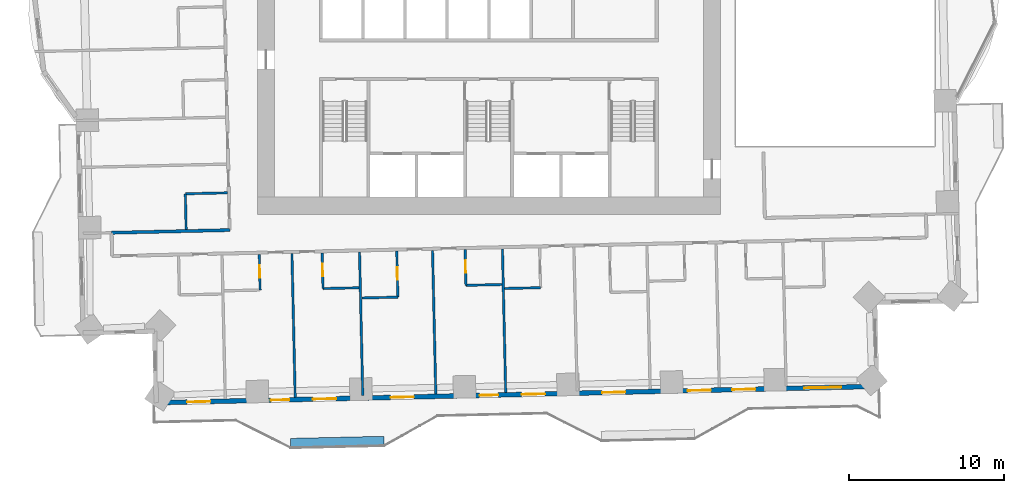
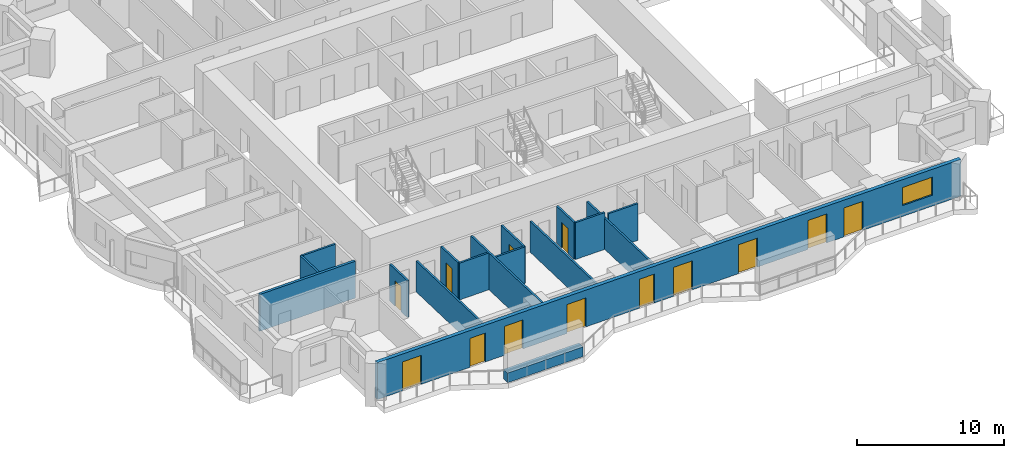
# One storey, part 6 of 17: 17 walls, 13 doors, 1 window, 14 openings.
"""IFC4 building model written with IfcOpenShell, lengths in metres."""

from ifc_helpers import new_model, si_unit, direction, frame, frame_2d, origin, place, context, subcontext, project, spatial, rectangle, extrude, material, layer, layer_set, type_object, element, fill, save


model = new_model("IFC4")

# Units and contexts
model_context = context("Model", 3, precision=1e-05, world=origin(), true_north=direction((0.0, 1.0)))
body_context = subcontext(model_context, "Body", "Model", "MODEL_VIEW")
ifc_project = project(units=[si_unit("LENGTHUNIT", "METRE"), si_unit("AREAUNIT", "SQUARE_METRE"), si_unit("VOLUMEUNIT", "CUBIC_METRE"), si_unit("PLANEANGLEUNIT", "RADIAN"), si_unit("MASSUNIT", "GRAM", prefix="KILO")], contexts=[model_context])

# Site, building, storey
site_placement = place(None, origin())
site = spatial("IfcSite", under=ifc_project, at=site_placement, CompositionType="ELEMENT")
building_placement = place(site_placement, origin())
building = spatial("IfcBuilding", under=site, at=building_placement, Name="Mangrove Gate Tower", CompositionType="ELEMENT")
storey_placement = place(building_placement, frame((0.0, 0.0, 82.89990234375)))
storey = spatial("IfcBuildingStorey", under=building, at=storey_placement, Name="L20", CompositionType="ELEMENT", Elevation=82.89990234375)

# Wall
ifc_material_1 = material(Name="Gypsum board on steel stud, EI 60", Category="steel")
ifc_layer_1 = layer(ifc_material_1, 0.199951171875)
ifc_layer_set_1 = layer_set([ifc_layer_1], Name="Corridor wall EI 60")
wall_type_1 = type_object("IfcWallType", Name="Corridor wall EI 60", PredefinedType="PARTITIONING", material=ifc_layer_set_1)
wall_1_placement = place(storey_placement, frame((-24.282958984375, -13.091064453125, 0.0), z_axis=(0.0, 0.0, 1.0), x_axis=(0.999741006317, 0.022757862116, 0.0)))
element("IfcWall", 1, at=wall_1_placement, inside=storey, type_object=wall_type_1, Name="WALL-L20-034", PredefinedType="PARTITIONING", context=body_context, shape_type="SweptSolid", body=[
    extrude(rectangle(XDim=7.60595703125, YDim=0.199951171875, at=frame_2d((3.802978515625, 0.0))), origin(), (0.0, 0.0, 1.0), 3.050048828125),
])

# Wall, openings, doors, window
ifc_material_2 = material(Name="Limestone", Category="masonry")
ifc_layer_2 = layer(ifc_material_2, 0.0400390625, Name="Limestone cladding")
ifc_material_3 = material(Name="Ventilated air gap")
ifc_layer_3 = layer(ifc_material_3, 0.0400390625, Name="Ventilated cavity")
ifc_material_4 = material(Name="Mineral wool insulation")
ifc_layer_4 = layer(ifc_material_4, 0.06005859375, Name="Insulation")
ifc_material_5 = material(Name="Breather membrane")
ifc_layer_5 = layer(ifc_material_5, 0.001953125, Name="Breather membrane")
ifc_material_6 = material(Name="Concrete C20/25 blockwork", Category="masonry")
ifc_layer_6 = layer(ifc_material_6, 0.14990234375, Name="Blockwork backing wall")
ifc_material_7 = material(Name="Gypsum plaster")
ifc_layer_7 = layer(ifc_material_7, 0.008056640625, Name="Internal plaster")
ifc_layer_set_2 = layer_set([ifc_layer_2, ifc_layer_3, ifc_layer_4, ifc_layer_5, ifc_layer_6, ifc_layer_7], Name="External wall 300 limestone cladding")
wall_type_2 = type_object("IfcWallType", Name="External wall 300 limestone cladding", PredefinedType="SOLIDWALL", material=ifc_layer_set_2)
wall_2_placement = place(storey_placement, frame((-21.408935546875, -24.029052734375, 0.0), z_axis=(0.0, 0.0, 1.0), x_axis=(0.999742634032, 0.022686244721, 0.0)))
wall_2 = element("IfcWall", 2, at=wall_2_placement, inside=storey, type_object=wall_type_2, Name="WALL-L20-S13", PredefinedType="SOLIDWALL", context=body_context, shape_type="SweptSolid", body=[
    extrude(rectangle(XDim=46.371826171875, YDim=0.300048828125, at=frame_2d((23.18603515625, 0.0))), origin(), (0.0, 0.0, 1.0), 3.050048828125),
])
opening_1_placement = place(wall_2_placement, frame((1.985107421875, 0.0, 0.0)))
opening_1 = element("IfcOpeningElement", 3, at=opening_1_placement, cuts=wall_2, Name="Opening BD1", PredefinedType="OPENING", context=body_context, shape_type="SweptSolid", body=[
    extrude(rectangle(XDim=1.5, YDim=2.39990234375, at=frame_2d((0.75, 1.199951171875))), frame((0.0, 0.159912109375, 0.0), z_axis=(0.0, -1.0, 0.0), x_axis=(1.0, 0.0, 0.0)), (0.0, 0.0, 1.0), 0.320068359375),
])
opening_2_placement = place(wall_2_placement, frame((7.37109375, 0.0, 0.0)))
opening_2 = element("IfcOpeningElement", 4, at=opening_2_placement, cuts=wall_2, Name="Opening BD2", PredefinedType="OPENING", context=body_context, shape_type="SweptSolid", body=[
    extrude(rectangle(XDim=1.199951171875, YDim=2.39990234375, at=frame_2d((0.60009765625, 1.199951171875))), frame((0.0, 0.159912109375, 0.0), z_axis=(0.0, -1.0, 0.0), x_axis=(1.0, 0.0, 0.0)), (0.0, 0.0, 1.0), 0.320068359375),
])
opening_3_placement = place(wall_2_placement, frame((10.080078125, 0.0, 0.0)))
opening_3 = element("IfcOpeningElement", 5, at=opening_3_placement, cuts=wall_2, Name="Opening BD1", PredefinedType="OPENING", context=body_context, shape_type="SweptSolid", body=[
    extrude(rectangle(XDim=1.5, YDim=2.39990234375, at=frame_2d((0.75, 1.199951171875))), frame((0.0, 0.159912109375, 0.0), z_axis=(0.0, -1.0, 0.0), x_axis=(1.0, 0.0, 0.0)), (0.0, 0.0, 1.0), 0.320068359375),
])
opening_4_placement = place(wall_2_placement, frame((15.080078125, 0.0, 0.0)))
opening_4 = element("IfcOpeningElement", 6, at=opening_4_placement, cuts=wall_2, Name="Opening BD1", PredefinedType="OPENING", context=body_context, shape_type="SweptSolid", body=[
    extrude(rectangle(XDim=1.5, YDim=2.39990234375, at=frame_2d((0.75, 1.199951171875))), frame((0.0, 0.159912109375, 0.0), z_axis=(0.0, -1.0, 0.0), x_axis=(1.0, 0.0, 0.0)), (0.0, 0.0, 1.0), 0.320068359375),
])
opening_5_placement = place(wall_2_placement, frame((20.81298828125, 0.0, 0.0)))
opening_5 = element("IfcOpeningElement", 7, at=opening_5_placement, cuts=wall_2, Name="Opening BD2", PredefinedType="OPENING", context=body_context, shape_type="SweptSolid", body=[
    extrude(rectangle(XDim=1.199951171875, YDim=2.39990234375, at=frame_2d((0.60009765625, 1.199951171875))), frame((0.0, 0.159912109375, 0.0), z_axis=(0.0, -1.0, 0.0), x_axis=(1.0, 0.0, 0.0)), (0.0, 0.0, 1.0), 0.320068359375),
])
opening_6_placement = place(wall_2_placement, frame((23.52197265625, 0.0, 0.0)))
opening_6 = element("IfcOpeningElement", 8, at=opening_6_placement, cuts=wall_2, Name="Opening BD1", PredefinedType="OPENING", context=body_context, shape_type="SweptSolid", body=[
    extrude(rectangle(XDim=1.5, YDim=2.39990234375, at=frame_2d((0.75, 1.199951171875))), frame((0.0, 0.159912109375, 0.0), z_axis=(0.0, -1.0, 0.0), x_axis=(1.0, 0.0, 0.0)), (0.0, 0.0, 1.0), 0.320068359375),
])
opening_7_placement = place(wall_2_placement, frame((28.699951171875, 0.0, 0.0)))
opening_7 = element("IfcOpeningElement", 9, at=opening_7_placement, cuts=wall_2, Name="Opening BD1", PredefinedType="OPENING", context=body_context, shape_type="SweptSolid", body=[
    extrude(rectangle(XDim=1.5, YDim=2.39990234375, at=frame_2d((0.75, 1.199951171875))), frame((0.0, 0.159912109375, 0.0), z_axis=(0.0, -1.0, 0.0), x_axis=(1.0, 0.0, 0.0)), (0.0, 0.0, 1.0), 0.320068359375),
])
opening_8_placement = place(wall_2_placement, frame((34.2060546875, 0.0, 0.0)))
opening_8 = element("IfcOpeningElement", 10, at=opening_8_placement, cuts=wall_2, Name="Opening BD1", PredefinedType="OPENING", context=body_context, shape_type="SweptSolid", body=[
    extrude(rectangle(XDim=1.5, YDim=2.39990234375, at=frame_2d((0.75, 1.199951171875))), frame((0.0, 0.159912109375, 0.0), z_axis=(0.0, -1.0, 0.0), x_axis=(1.0, 0.0, 0.0)), (0.0, 0.0, 1.0), 0.320068359375),
])
opening_9_placement = place(wall_2_placement, frame((37.06494140625, 0.0, 0.0)))
opening_9 = element("IfcOpeningElement", 11, at=opening_9_placement, cuts=wall_2, Name="Opening BD1", PredefinedType="OPENING", context=body_context, shape_type="SweptSolid", body=[
    extrude(rectangle(XDim=1.5, YDim=2.39990234375, at=frame_2d((0.75, 1.199951171875))), frame((0.0, 0.159912109375, 0.0), z_axis=(0.0, -1.0, 0.0), x_axis=(1.0, 0.0, 0.0)), (0.0, 0.0, 1.0), 0.320068359375),
])
opening_10_placement = place(wall_2_placement, frame((41.697998046875, 0.0, 0.89990234375)))
opening_10 = element("IfcOpeningElement", 12, at=opening_10_placement, cuts=wall_2, Name="Opening W2", PredefinedType="OPENING", context=body_context, shape_type="SweptSolid", body=[
    extrude(rectangle(XDim=2.39990234375, YDim=1.5, at=frame_2d((1.199951171875, 0.75))), frame((0.0, 0.159912109375, 0.0), z_axis=(0.0, -1.0, 0.0), x_axis=(1.0, 0.0, 0.0)), (0.0, 0.0, 1.0), 0.320068359375),
])
ifc_material_8 = material(Name="Aluminium frame with laminated clear glass", Category="aluminium")
door_type_1 = type_object("IfcDoorType", Name="Balcony sliding door 1200x2400", OperationType="SLIDING_TO_LEFT", PredefinedType="DOOR", material=ifc_material_8)
door_1_placement = place(opening_2_placement, origin())
door_1 = element("IfcDoor", 13, at=door_1_placement, inside=storey, type_object=door_type_1, Name="DOOR-L20-S13-2", OperationType="SLIDING_TO_LEFT", OverallHeight=2.39990234375, OverallWidth=1.199951171875, PredefinedType="DOOR", context=body_context, shape_type="SweptSolid", body=[
    extrude(rectangle(XDim=1.199951171875, YDim=2.39990234375, at=frame_2d((0.60009765625, 1.199951171875))), frame((0.0, 0.02490234375, 0.0), z_axis=(0.0, -1.0, 0.0), x_axis=(1.0, 0.0, 0.0)), (0.0, 0.0, 1.0), 0.050048828125),
])
fill(opening_2, door_1)
door_2_placement = place(opening_5_placement, origin())
door_2 = element("IfcDoor", 14, at=door_2_placement, inside=storey, type_object=door_type_1, Name="DOOR-L20-S13-5", OperationType="SLIDING_TO_LEFT", OverallHeight=2.39990234375, OverallWidth=1.199951171875, PredefinedType="DOOR", context=body_context, shape_type="SweptSolid", body=[
    extrude(rectangle(XDim=1.199951171875, YDim=2.39990234375, at=frame_2d((0.60009765625, 1.199951171875))), frame((0.0, 0.02490234375, 0.0), z_axis=(0.0, -1.0, 0.0), x_axis=(1.0, 0.0, 0.0)), (0.0, 0.0, 1.0), 0.050048828125),
])
fill(opening_5, door_2)
ifc_material_9 = material(Name="Aluminium frame with laminated clear glass", Category="aluminium")
door_type_2 = type_object("IfcDoorType", Name="Balcony sliding door 1500x2400", OperationType="SLIDING_TO_LEFT", PredefinedType="DOOR", material=ifc_material_9)
door_3_placement = place(opening_1_placement, origin())
door_3 = element("IfcDoor", 15, at=door_3_placement, inside=storey, type_object=door_type_2, Name="DOOR-L20-S13-1", OperationType="SLIDING_TO_LEFT", OverallHeight=2.39990234375, OverallWidth=1.5, PredefinedType="DOOR", context=body_context, shape_type="SweptSolid", body=[
    extrude(rectangle(XDim=1.5, YDim=2.39990234375, at=frame_2d((0.75, 1.199951171875))), frame((0.0, 0.02490234375, 0.0), z_axis=(0.0, -1.0, 0.0), x_axis=(1.0, 0.0, 0.0)), (0.0, 0.0, 1.0), 0.050048828125),
])
fill(opening_1, door_3)
door_4_placement = place(opening_3_placement, origin())
door_4 = element("IfcDoor", 16, at=door_4_placement, inside=storey, type_object=door_type_2, Name="DOOR-L20-S13-3", OperationType="SLIDING_TO_LEFT", OverallHeight=2.39990234375, OverallWidth=1.5, PredefinedType="DOOR", context=body_context, shape_type="SweptSolid", body=[
    extrude(rectangle(XDim=1.5, YDim=2.39990234375, at=frame_2d((0.75, 1.199951171875))), frame((0.0, 0.02490234375, 0.0), z_axis=(0.0, -1.0, 0.0), x_axis=(1.0, 0.0, 0.0)), (0.0, 0.0, 1.0), 0.050048828125),
])
fill(opening_3, door_4)
door_5_placement = place(opening_4_placement, origin())
door_5 = element("IfcDoor", 17, at=door_5_placement, inside=storey, type_object=door_type_2, Name="DOOR-L20-S13-4", OperationType="SLIDING_TO_LEFT", OverallHeight=2.39990234375, OverallWidth=1.5, PredefinedType="DOOR", context=body_context, shape_type="SweptSolid", body=[
    extrude(rectangle(XDim=1.5, YDim=2.39990234375, at=frame_2d((0.75, 1.199951171875))), frame((0.0, 0.02490234375, 0.0), z_axis=(0.0, -1.0, 0.0), x_axis=(1.0, 0.0, 0.0)), (0.0, 0.0, 1.0), 0.050048828125),
])
fill(opening_4, door_5)
door_6_placement = place(opening_6_placement, origin())
door_6 = element("IfcDoor", 18, at=door_6_placement, inside=storey, type_object=door_type_2, Name="DOOR-L20-S13-6", OperationType="SLIDING_TO_LEFT", OverallHeight=2.39990234375, OverallWidth=1.5, PredefinedType="DOOR", context=body_context, shape_type="SweptSolid", body=[
    extrude(rectangle(XDim=1.5, YDim=2.39990234375, at=frame_2d((0.75, 1.199951171875))), frame((0.0, 0.02490234375, 0.0), z_axis=(0.0, -1.0, 0.0), x_axis=(1.0, 0.0, 0.0)), (0.0, 0.0, 1.0), 0.050048828125),
])
fill(opening_6, door_6)
door_7_placement = place(opening_7_placement, origin())
door_7 = element("IfcDoor", 19, at=door_7_placement, inside=storey, type_object=door_type_2, Name="DOOR-L20-S13-7", OperationType="SLIDING_TO_LEFT", OverallHeight=2.39990234375, OverallWidth=1.5, PredefinedType="DOOR", context=body_context, shape_type="SweptSolid", body=[
    extrude(rectangle(XDim=1.5, YDim=2.39990234375, at=frame_2d((0.75, 1.199951171875))), frame((0.0, 0.02490234375, 0.0), z_axis=(0.0, -1.0, 0.0), x_axis=(1.0, 0.0, 0.0)), (0.0, 0.0, 1.0), 0.050048828125),
])
fill(opening_7, door_7)
door_8_placement = place(opening_8_placement, origin())
door_8 = element("IfcDoor", 20, at=door_8_placement, inside=storey, type_object=door_type_2, Name="DOOR-L20-S13-8", OperationType="SLIDING_TO_LEFT", OverallHeight=2.39990234375, OverallWidth=1.5, PredefinedType="DOOR", context=body_context, shape_type="SweptSolid", body=[
    extrude(rectangle(XDim=1.5, YDim=2.39990234375, at=frame_2d((0.75, 1.199951171875))), frame((0.0, 0.02490234375, 0.0), z_axis=(0.0, -1.0, 0.0), x_axis=(1.0, 0.0, 0.0)), (0.0, 0.0, 1.0), 0.050048828125),
])
fill(opening_8, door_8)
door_9_placement = place(opening_9_placement, origin())
door_9 = element("IfcDoor", 21, at=door_9_placement, inside=storey, type_object=door_type_2, Name="DOOR-L20-S13-9", OperationType="SLIDING_TO_LEFT", OverallHeight=2.39990234375, OverallWidth=1.5, PredefinedType="DOOR", context=body_context, shape_type="SweptSolid", body=[
    extrude(rectangle(XDim=1.5, YDim=2.39990234375, at=frame_2d((0.75, 1.199951171875))), frame((0.0, 0.02490234375, 0.0), z_axis=(0.0, -1.0, 0.0), x_axis=(1.0, 0.0, 0.0)), (0.0, 0.0, 1.0), 0.050048828125),
])
fill(opening_9, door_9)
ifc_material_10 = material(Name="Aluminium frame with double-glazed low-e glass", Category="aluminium")
window_type = type_object("IfcWindowType", Name="Corner room window 2400x1500", PartitioningType="DOUBLE_PANEL_VERTICAL", PredefinedType="WINDOW", material=ifc_material_10)
window_placement = place(opening_10_placement, origin())
window = element("IfcWindow", 22, at=window_placement, inside=storey, type_object=window_type, Name="WIN-L20-S13-10", OverallHeight=1.5, OverallWidth=2.39990234375, PartitioningType="DOUBLE_PANEL_VERTICAL", PredefinedType="WINDOW", context=body_context, shape_type="SweptSolid", body=[
    extrude(rectangle(XDim=2.39990234375, YDim=1.5, at=frame_2d((1.199951171875, 0.75))), frame((0.0, 0.030029296875, 0.0), z_axis=(0.0, -1.0, 0.0), x_axis=(1.0, 0.0, 0.0)), (0.0, 0.0, 1.0), 0.06005859375),
])
fill(opening_10, window)

# Walls
ifc_material_11 = material(Name="Gypsum board on steel stud, EI 60", Category="steel")
ifc_layer_8 = layer(ifc_material_11, 0.14990234375)
ifc_layer_set_3 = layer_set([ifc_layer_8], Name="Party wall 150 EI 60")
wall_type_3 = type_object("IfcWallType", Name="Party wall 150 EI 60", PredefinedType="PARTITIONING", material=ifc_layer_set_3)
wall_3_placement = place(storey_placement, frame((-12.468994140625, -23.676025390625, 0.0), z_axis=(0.0, 0.0, 1.0), x_axis=(-0.022697424684, 0.999742380272, 0.0)))
element("IfcWall", 23, at=wall_3_placement, inside=storey, type_object=wall_type_3, Name="WALL-L20-002", PredefinedType="PARTITIONING", context=body_context, shape_type="SweptSolid", body=[
    extrude(rectangle(XDim=9.25048828125, YDim=0.14990234375, at=frame_2d((4.625244140625, 0.0))), origin(), (0.0, 0.0, 1.0), 2.550048828125),
])
wall_4_placement = place(storey_placement, frame((-8.1201171875, -23.576904296875, 0.0), z_axis=(0.0, 0.0, 1.0), x_axis=(-0.022698023584, 0.999742366675, 0.0)))
element("IfcWall", 24, at=wall_4_placement, inside=storey, type_object=wall_type_3, Name="WALL-L20-003", PredefinedType="PARTITIONING", context=body_context, shape_type="SweptSolid", body=[
    extrude(rectangle(XDim=9.250244140625, YDim=0.14990234375, at=frame_2d((4.625, 0.0))), origin(), (0.0, 0.0, 1.0), 3.050048828125),
])
wall_5_placement = place(storey_placement, frame((-3.4208984375, -23.470947265625, 0.0), z_axis=(0.0, 0.0, 1.0), x_axis=(-0.022723803418, 0.999741781041, 0.0)))
element("IfcWall", 25, at=wall_5_placement, inside=storey, type_object=wall_type_3, Name="WALL-L20-004", PredefinedType="PARTITIONING", context=body_context, shape_type="SweptSolid", body=[
    extrude(rectangle(XDim=9.25048828125, YDim=0.14990234375, at=frame_2d((4.625244140625, 0.0))), origin(), (0.0, 0.0, 1.0), 2.550048828125),
])
wall_6_placement = place(storey_placement, frame((1.076904296875, -23.368896484375, 0.0), z_axis=(0.0, 0.0, 1.0), x_axis=(-0.022592505393, 0.999744756775, 0.0)))
element("IfcWall", 26, at=wall_6_placement, inside=storey, type_object=wall_type_3, Name="WALL-L20-005", PredefinedType="PARTITIONING", context=body_context, shape_type="SweptSolid", body=[
    extrude(rectangle(XDim=9.250244140625, YDim=0.14990234375, at=frame_2d((4.625, 0.0))), origin(), (0.0, 0.0, 1.0), 2.550048828125),
])
wall_7_placement = place(storey_placement, frame((-8.18408203125, -17.287109375, 0.0), z_axis=(0.0, 0.0, 1.0), x_axis=(0.999738137323, 0.022883548292, 0.0)))
element("IfcWall", 27, at=wall_7_placement, inside=storey, type_object=wall_type_3, Name="WALL-L20-010", PredefinedType="PARTITIONING", context=body_context, shape_type="SweptSolid", body=[
    extrude(rectangle(XDim=2.32568359375, YDim=0.14990234375, at=frame_2d((1.162841796875, 0.0))), origin(), (0.0, 0.0, 1.0), 3.050048828125),
])

# Wall, opening, door
wall_8_placement = place(storey_placement, frame((-5.863037109375, -17.23388671875, 0.0), z_axis=(0.0, 0.0, 1.0), x_axis=(-0.022931262231, 0.999737044033, 0.0)))
wall_8 = element("IfcWall", 28, at=wall_8_placement, inside=storey, type_object=wall_type_3, Name="WALL-L20-011", PredefinedType="PARTITIONING", context=body_context, shape_type="SweptSolid", body=[
    extrude(rectangle(XDim=2.959716796875, YDim=0.14990234375, at=frame_2d((1.47998046875, 0.0))), origin(), (0.0, 0.0, 1.0), 3.050048828125),
])
opening_11_placement = place(wall_8_placement, frame((1.1298828125, 0.0, 0.0)))
opening_11 = element("IfcOpeningElement", 29, at=opening_11_placement, cuts=wall_8, Name="Opening ED", PredefinedType="OPENING", context=body_context, shape_type="SweptSolid", body=[
    extrude(rectangle(XDim=0.800048828125, YDim=2.10009765625, at=frame_2d((0.39990234375, 1.050048828125))), frame((0.0, 0.0849609375, 0.0), z_axis=(0.0, -1.0, 0.0), x_axis=(1.0, 0.0, 0.0)), (0.0, 0.0, 1.0), 0.169921875),
])
ifc_material_12 = material(Name="Timber door leaf", Category="wood")
door_type_3 = type_object("IfcDoorType", Name="En-suite door 800", OperationType="SINGLE_SWING_LEFT", PredefinedType="DOOR", material=ifc_material_12)
door_10_placement = place(opening_11_placement, origin())
door_10 = element("IfcDoor", 30, at=door_10_placement, inside=storey, type_object=door_type_3, Name="DOOR-L20-ENS-c103", OperationType="SINGLE_SWING_LEFT", OverallHeight=2.10009765625, OverallWidth=0.800048828125, PredefinedType="DOOR", context=body_context, shape_type="SweptSolid", body=[
    extrude(rectangle(XDim=0.800048828125, YDim=2.10009765625, at=frame_2d((0.39990234375, 1.050048828125))), frame((0.0, 0.02490234375, 0.0), z_axis=(0.0, -1.0, 0.0), x_axis=(1.0, 0.0, 0.0)), (0.0, 0.0, 1.0), 0.050048828125),
])
fill(opening_11, door_10)

# Wall
wall_9_placement = place(storey_placement, frame((1.0048828125, -16.677978515625, 0.0), z_axis=(0.0, 0.0, 1.0), x_axis=(0.99974031529, 0.022788198363, 0.0)))
element("IfcWall", 31, at=wall_9_placement, inside=storey, type_object=wall_type_3, Name="WALL-L20-016", PredefinedType="PARTITIONING", context=body_context, shape_type="SweptSolid", body=[
    extrude(rectangle(XDim=2.32470703125, YDim=0.14990234375, at=frame_2d((1.162353515625, 0.0))), origin(), (0.0, 0.0, 1.0), 3.050048828125),
])

# Wall, opening, door
wall_10_placement = place(storey_placement, frame((-14.72607421875, -16.77490234375, 0.0), z_axis=(0.0, 0.0, 1.0), x_axis=(-0.022615284993, 0.999744241736, 0.0)))
wall_10 = element("IfcWall", 32, at=wall_10_placement, inside=storey, type_object=wall_type_3, Name="WALL-L20-021", PredefinedType="PARTITIONING", context=body_context, shape_type="SweptSolid", body=[
    extrude(rectangle(XDim=2.29931640625, YDim=0.14990234375, at=frame_2d((1.149658203125, 0.0))), origin(), (0.0, 0.0, 1.0), 3.050048828125),
])
opening_12_placement = place(wall_10_placement, frame((0.800048828125, 0.0, 0.0)))
opening_12 = element("IfcOpeningElement", 33, at=opening_12_placement, cuts=wall_10, Name="Opening ED", PredefinedType="OPENING", context=body_context, shape_type="SweptSolid", body=[
    extrude(rectangle(XDim=0.800048828125, YDim=2.10009765625, at=frame_2d((0.39990234375, 1.050048828125))), frame((0.0, 0.0849609375, 0.0), z_axis=(0.0, -1.0, 0.0), x_axis=(1.0, 0.0, 0.0)), (0.0, 0.0, 1.0), 0.169921875),
])
door_11_placement = place(opening_12_placement, origin())
door_11 = element("IfcDoor", 34, at=door_11_placement, inside=storey, type_object=door_type_3, Name="DOOR-L20-ENS-c101", OperationType="SINGLE_SWING_LEFT", OverallHeight=2.10009765625, OverallWidth=0.800048828125, PredefinedType="DOOR", context=body_context, shape_type="SweptSolid", body=[
    extrude(rectangle(XDim=0.800048828125, YDim=2.10009765625, at=frame_2d((0.39990234375, 1.050048828125))), frame((0.0, 0.02490234375, 0.0), z_axis=(0.0, -1.0, 0.0), x_axis=(1.0, 0.0, 0.0)), (0.0, 0.0, 1.0), 0.050048828125),
])
fill(opening_12, door_11)

wall_11_placement = place(storey_placement, frame((-10.677001953125, -16.68310546875, 0.0), z_axis=(0.0, 0.0, 1.0), x_axis=(-0.022612884682, 0.999744296031, 0.0)))
wall_11 = element("IfcWall", 35, at=wall_11_placement, inside=storey, type_object=wall_type_3, Name="WALL-L20-022", PredefinedType="PARTITIONING", context=body_context, shape_type="SweptSolid", body=[
    extrude(rectangle(XDim=2.299560546875, YDim=0.14990234375, at=frame_2d((1.14990234375, 0.0))), origin(), (0.0, 0.0, 1.0), 3.050048828125),
])
opening_13_placement = place(wall_11_placement, frame((0.800048828125, 0.0, 0.0)))
opening_13 = element("IfcOpeningElement", 36, at=opening_13_placement, cuts=wall_11, Name="Opening ED", PredefinedType="OPENING", context=body_context, shape_type="SweptSolid", body=[
    extrude(rectangle(XDim=0.800048828125, YDim=2.10009765625, at=frame_2d((0.39990234375, 1.050048828125))), frame((0.0, 0.0849609375, 0.0), z_axis=(0.0, -1.0, 0.0), x_axis=(1.0, 0.0, 0.0)), (0.0, 0.0, 1.0), 0.169921875),
])
door_12_placement = place(opening_13_placement, origin())
door_12 = element("IfcDoor", 37, at=door_12_placement, inside=storey, type_object=door_type_3, Name="DOOR-L20-ENS-c102", OperationType="SINGLE_SWING_RIGHT", OverallHeight=2.10009765625, OverallWidth=0.800048828125, PredefinedType="DOOR", context=body_context, shape_type="SweptSolid", body=[
    extrude(rectangle(XDim=0.800048828125, YDim=2.10009765625, at=frame_2d((0.39990234375, 1.050048828125))), frame((0.0, 0.02490234375, 0.0), z_axis=(0.0, -1.0, 0.0), x_axis=(1.0, 0.0, 0.0)), (0.0, 0.0, 1.0), 0.050048828125),
])
fill(opening_13, door_12)

# Wall
wall_12_placement = place(storey_placement, frame((-10.673095703125, -16.68310546875, 0.0), z_axis=(0.0, 0.0, 1.0), x_axis=(0.999737862264, 0.022895561926, 0.0)))
element("IfcWall", 38, at=wall_12_placement, inside=storey, type_object=wall_type_3, Name="WALL-L20-023", PredefinedType="PARTITIONING", context=body_context, shape_type="SweptSolid", body=[
    extrude(rectangle(XDim=2.324462890625, YDim=0.14990234375, at=frame_2d((1.162109375, 0.0))), origin(), (0.0, 0.0, 1.0), 3.050048828125),
])

# Wall, opening, door
wall_13_placement = place(storey_placement, frame((-1.47998046875, -16.47509765625, 0.0), z_axis=(0.0, 0.0, 1.0), x_axis=(-0.022603288534, 0.999744513037, 0.0)))
wall_13 = element("IfcWall", 39, at=wall_13_placement, inside=storey, type_object=wall_type_3, Name="WALL-L20-024", PredefinedType="PARTITIONING", context=body_context, shape_type="SweptSolid", body=[
    extrude(rectangle(XDim=2.300537109375, YDim=0.14990234375, at=frame_2d((1.150390625, 0.0))), origin(), (0.0, 0.0, 1.0), 3.050048828125),
])
opening_14_placement = place(wall_13_placement, frame((0.800048828125, 0.0, 0.0)))
opening_14 = element("IfcOpeningElement", 40, at=opening_14_placement, cuts=wall_13, Name="Opening ED", PredefinedType="OPENING", context=body_context, shape_type="SweptSolid", body=[
    extrude(rectangle(XDim=0.800048828125, YDim=2.10009765625, at=frame_2d((0.39990234375, 1.050048828125))), frame((0.0, 0.0849609375, 0.0), z_axis=(0.0, -1.0, 0.0), x_axis=(1.0, 0.0, 0.0)), (0.0, 0.0, 1.0), 0.169921875),
])
door_13_placement = place(opening_14_placement, origin())
door_13 = element("IfcDoor", 41, at=door_13_placement, inside=storey, type_object=door_type_3, Name="DOOR-L20-ENS-c104", OperationType="SINGLE_SWING_RIGHT", OverallHeight=2.10009765625, OverallWidth=0.800048828125, PredefinedType="DOOR", context=body_context, shape_type="SweptSolid", body=[
    extrude(rectangle(XDim=0.800048828125, YDim=2.10009765625, at=frame_2d((0.39990234375, 1.050048828125))), frame((0.0, 0.02490234375, 0.0), z_axis=(0.0, -1.0, 0.0), x_axis=(1.0, 0.0, 0.0)), (0.0, 0.0, 1.0), 0.050048828125),
])
fill(opening_14, door_13)

# Walls
wall_14_placement = place(storey_placement, frame((-1.47607421875, -16.47412109375, 0.0), z_axis=(0.0, 0.0, 1.0), x_axis=(0.999750007167, 0.022358961731, 0.0)))
element("IfcWall", 42, at=wall_14_placement, inside=storey, type_object=wall_type_3, Name="WALL-L20-025", PredefinedType="PARTITIONING", context=body_context, shape_type="SweptSolid", body=[
    extrude(rectangle(XDim=2.32568359375, YDim=0.14990234375, at=frame_2d((1.162841796875, 0.0))), origin(), (0.0, 0.0, 1.0), 3.050048828125),
])
wall_15_placement = place(storey_placement, frame((-19.486083984375, -12.882080078125, 0.0), z_axis=(0.0, 0.0, 1.0), x_axis=(-0.022612884682, 0.999744296031, 0.0)))
element("IfcWall", 43, at=wall_15_placement, inside=storey, type_object=wall_type_3, Name="WALL-L20-035", PredefinedType="PARTITIONING", context=body_context, shape_type="SweptSolid", body=[
    extrude(rectangle(XDim=2.299560546875, YDim=0.14990234375, at=frame_2d((1.14990234375, 0.0))), origin(), (0.0, 0.0, 1.0), 3.050048828125),
])
wall_16_placement = place(storey_placement, frame((-19.532958984375, -10.5830078125, 0.0), z_axis=(0.0, 0.0, 1.0), x_axis=(0.999736155505, 0.022969966847, 0.0)))
element("IfcWall", 44, at=wall_16_placement, inside=storey, type_object=wall_type_3, Name="WALL-L20-040", PredefinedType="PARTITIONING", context=body_context, shape_type="SweptSolid", body=[
    extrude(rectangle(XDim=2.69970703125, YDim=0.14990234375, at=frame_2d((1.349853515625, 0.0))), origin(), (0.0, 0.0, 1.0), 3.050048828125),
])
ifc_material_13 = material(Name="Concrete C32/40", Category="concrete")
ifc_layer_9 = layer(ifc_material_13, 0.199951171875, Name="Planter trough wall")
ifc_material_14 = material(Name="Bituminous waterproofing membrane")
ifc_layer_10 = layer(ifc_material_14, 0.0048828125, Name="Waterproofing")
ifc_material_15 = material(Name="Drainage board and gravel")
ifc_layer_11 = layer(ifc_material_15, 0.044921875, Name="Drainage layer")
ifc_material_16 = material(Name="Planting soil")
ifc_layer_12 = layer(ifc_material_16, 0.300048828125, Name="Growing medium")
ifc_layer_set_4 = layer_set([ifc_layer_9, ifc_layer_10, ifc_layer_11, ifc_layer_12], Name="Planter wall 550 C32/40")
wall_type_4 = type_object("IfcWallType", Name="Planter wall 550 C32/40", PredefinedType="USERDEFINED", material=ifc_layer_set_4)
wall_17_placement = place(storey_placement, frame((-12.762939453125, -26.597900390625, 0.0), z_axis=(0.0, 0.0, 1.0), x_axis=(0.999743178102, 0.022662255828, 0.0)))
element("IfcWall", 45, at=wall_17_placement, inside=storey, type_object=wall_type_4, Name="PLANTER L20 S0.1", ObjectType="PLANTER", PredefinedType="USERDEFINED", context=body_context, shape_type="SweptSolid", body=[
    extrude(rectangle(XDim=6.00048828125, YDim=0.550048828125, at=frame_2d((3.000244140625, 0.0))), origin(), (0.0, 0.0, 1.0), 0.800048828125),
])

save(model, "model.ifc")
